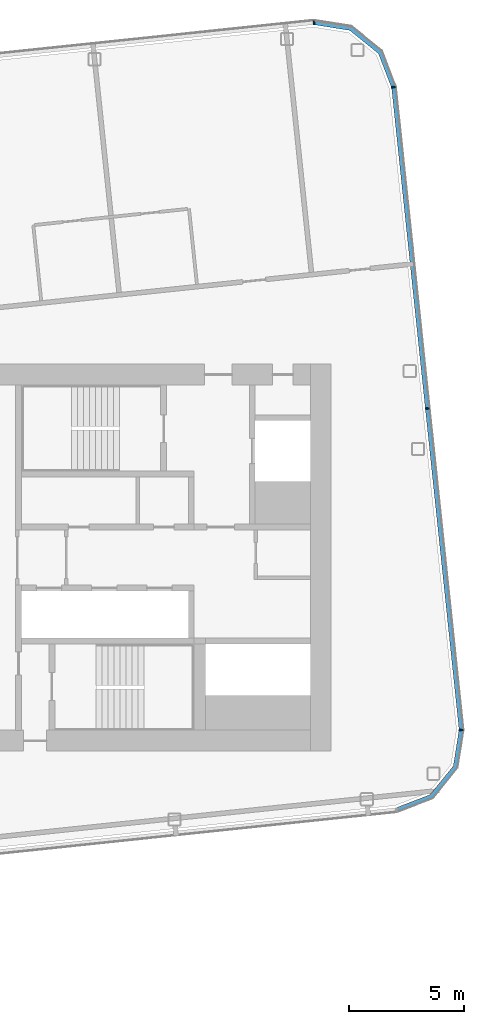
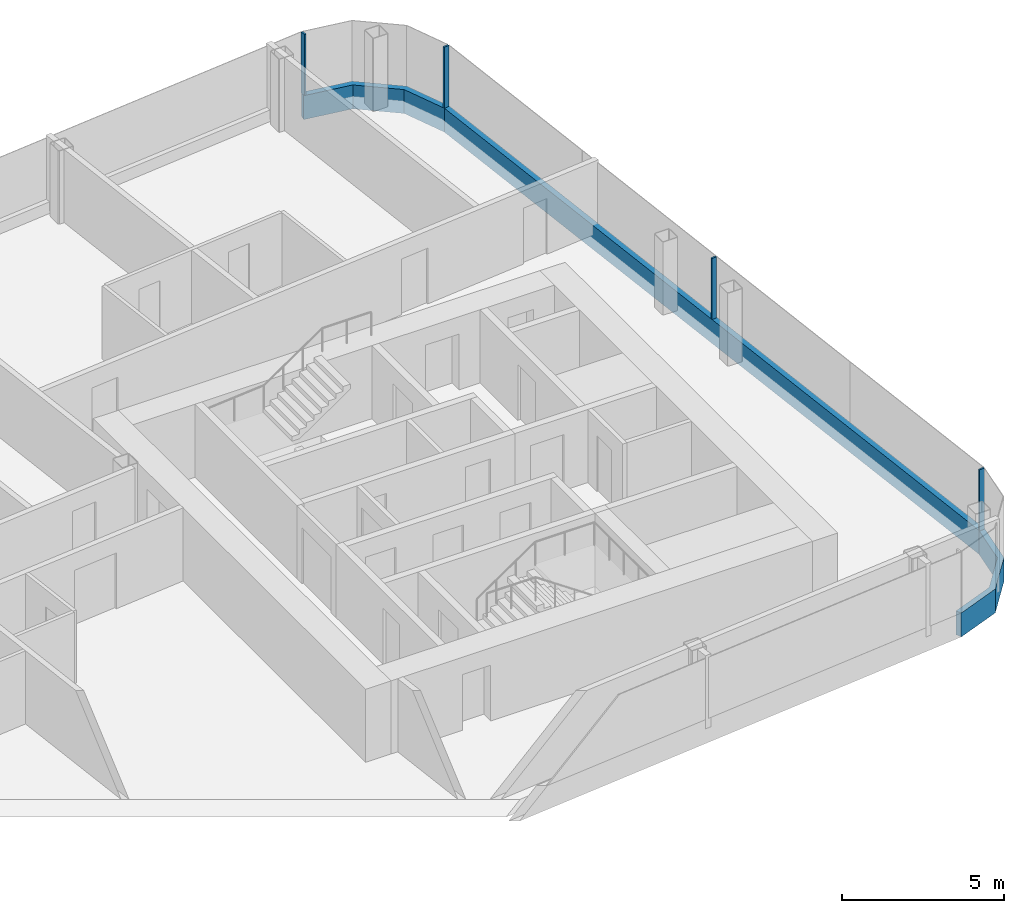
# One storey, part 12 of 27: 7 members, 4 elements without a shape of their own.
"""IFC4 building model written with IfcOpenShell, lengths in metres."""

from ifc_helpers import new_model, si_unit, direction, frame, origin, origin_2d, place, context, subcontext, project, spatial, polyline, rectangle, outline, extrude, material, layer, layer_set, material_profile, profile_set, type_object, element, aggregate, save


model = new_model("IFC4")

# Units and contexts
model_context = context("Model", 3, precision=1e-05, world=origin(), true_north=direction((0.0, 1.0)))
body_context = subcontext(model_context, "Body", "Model", "MODEL_VIEW")
ifc_project = project(units=[si_unit("LENGTHUNIT", "METRE"), si_unit("AREAUNIT", "SQUARE_METRE"), si_unit("VOLUMEUNIT", "CUBIC_METRE"), si_unit("PLANEANGLEUNIT", "RADIAN"), si_unit("MASSUNIT", "GRAM", prefix="KILO")], contexts=[model_context])

# Site, building, storey
site_placement = place(None, origin())
site = spatial("IfcSite", under=ifc_project, at=site_placement, CompositionType="ELEMENT")
building_placement = place(site_placement, origin())
building = spatial("IfcBuilding", under=site, at=building_placement, Name="Hakoniwa Tower and Hamabe Station Hall", CompositionType="ELEMENT")
storey_placement = place(building_placement, frame((0.0, 0.0, 239.0)))
storey = spatial("IfcBuildingStorey", under=building, at=storey_placement, Name="L67", CompositionType="ELEMENT", Elevation=239.0)

# Curtain wall, member
ifc_material_1 = material(Name="Dark low-e laminated glass", Category="glass")
ifc_layer = layer(ifc_material_1, 0.199951171875)
ifc_layer_set = layer_set([ifc_layer], Name="CW-1 UNITISED GUEST")
curtain_wall_type = type_object("IfcCurtainWallType", Name="CW-1 UNITISED GUEST", PredefinedType="NOTDEFINED", material=ifc_layer_set)
curtain_wall_1_placement = place(storey_placement, origin())
curtain_wall_1 = element("IfcCurtainWall", 1, at=curtain_wall_1_placement, inside=storey, type_object=curtain_wall_type, Name="CW-1 curtain wall", PredefinedType="NOTDEFINED")
ifc_material_2 = material(Name="Aluminium 6063-T5 black anodised", Category="aluminium")
ifc_material_profile_1 = material_profile(ifc_material_2, rectangle(XDim=0.199951171875, YDim=0.89990234375, at=origin_2d()), Name="CW SLAB-EDGE BAND 900X200")
ifc_profile_set_1 = profile_set([ifc_material_profile_1], Name="Aluminium 6063-T5 black anodised")
member_type_1 = type_object("IfcMemberType", Name="CW SLAB-EDGE BAND 900X200", PredefinedType="USERDEFINED", material=ifc_profile_set_1)
member_1_placement = place(storey_placement, frame((39.25927734375, -7.490478515625, -0.10009765625), z_axis=(-0.104529086463, 0.994521829868, 0.0), x_axis=(-0.994521829868, -0.104529086463, 0.0)))
member_1 = element("IfcMember", 2, at=member_1_placement, type_object=member_type_1, Name="CW-1 transom", ObjectType="TRANSOM", PredefinedType="USERDEFINED", context=body_context, shape_type="SweptSolid", body=[
    extrude(rectangle(XDim=0.199951171875, YDim=0.89990234375, at=origin_2d()), origin(), (0.0, 0.0, 1.0), 28.078857421875),
])

curtain_wall_2_placement = place(storey_placement, origin())
curtain_wall_2 = element("IfcCurtainWall", 3, at=curtain_wall_2_placement, inside=storey, type_object=curtain_wall_type, Name="CW-1 curtain wall", PredefinedType="NOTDEFINED")
member_2_placement = place(storey_placement, frame((0.0, 0.0, -0.550048828125)))
member_2 = element("IfcMember", 4, at=member_2_placement, type_object=member_type_1, Name="CW-1 transom", ObjectType="TRANSOM", PredefinedType="USERDEFINED", context=body_context, shape_type="SweptSolid", body=[
    extrude(outline(polyline([(36.423828125, 20.445068359375), (35.82421875, 22.0068359375), (34.492431640625, 23.085205078125), (32.84033203125, 23.346923828125), (32.80908203125, 23.1494140625), (34.408203125, 22.89599609375), (35.65673828125, 21.885009765625), (36.237060546875, 20.37353515625), (36.423828125, 20.445068359375)])), origin(), (0.0, 0.0, 1.0), 0.900146484375),
])
aggregate(curtain_wall_2, [member_2])

curtain_wall_3_placement = place(storey_placement, origin())
curtain_wall_3 = element("IfcCurtainWall", 5, at=curtain_wall_3_placement, inside=storey, type_object=curtain_wall_type, Name="CW-1 curtain wall", PredefinedType="NOTDEFINED")
member_3_placement = place(storey_placement, frame((0.0, 0.0, -0.550048828125)))
member_3 = element("IfcMember", 6, at=member_3_placement, type_object=member_type_1, Name="CW-1 transom", ObjectType="TRANSOM", PredefinedType="USERDEFINED", context=body_context, shape_type="SweptSolid", body=[
    extrude(outline(polyline([(36.45703125, -11.0634765625), (38.0185546875, -10.464111328125), (39.09716796875, -9.13232421875), (39.35888671875, -7.47998046875), (39.161376953125, -7.44873046875), (38.907958984375, -9.048095703125), (37.89697265625, -10.296630859375), (36.38525390625, -10.876708984375), (36.45703125, -11.0634765625)])), origin(), (0.0, 0.0, 1.0), 0.900146484375),
])
aggregate(curtain_wall_3, [member_3])

# Member
ifc_material_3 = material(Name="Aluminium 6063-T5 black anodised", Category="aluminium")
ifc_material_profile_2 = material_profile(ifc_material_3, rectangle(XDim=0.06005859375, YDim=0.179931640625, at=origin_2d()), Name="CW-1 MULLION 60X180")
ifc_profile_set_2 = profile_set([ifc_material_profile_2], Name="Aluminium 6063-T5 black anodised")
member_type_2 = type_object("IfcMemberType", Name="CW-1 MULLION 60X180", PredefinedType="MULLION", material=ifc_profile_set_2)
member_4_placement = place(storey_placement, frame((39.241455078125, -7.492431640625, 0.35009765625), z_axis=(0.0, 0.0, 1.0), x_axis=(-0.104528468631, 0.994521894805, 0.0)))
member_4 = element("IfcMember", 7, at=member_4_placement, type_object=member_type_2, Name="CW-1 mullion", PredefinedType="MULLION", context=body_context, shape_type="SweptSolid", body=[
    extrude(rectangle(XDim=0.06005859375, YDim=0.179931640625, at=origin_2d()), origin(), (0.0, 0.0, 1.0), 2.2998046875),
])

member_5_placement = place(storey_placement, frame((37.77392578125, 6.47021484375, 0.35009765625), z_axis=(0.0, 0.0, 1.0), x_axis=(-0.104528468631, 0.994521894805, 0.0)))
member_5 = element("IfcMember", 8, at=member_5_placement, type_object=member_type_2, Name="CW-1 mullion", PredefinedType="MULLION", context=body_context, shape_type="SweptSolid", body=[
    extrude(rectangle(XDim=0.06005859375, YDim=0.179931640625, at=origin_2d()), origin(), (0.0, 0.0, 1.0), 2.2998046875),
])

member_6_placement = place(storey_placement, frame((36.306396484375, 20.432861328125, 0.35009765625), z_axis=(0.0, 0.0, 1.0), x_axis=(-0.104528468631, 0.994521894805, 0.0)))
member_6 = element("IfcMember", 9, at=member_6_placement, type_object=member_type_2, Name="CW-1 mullion", PredefinedType="MULLION", context=body_context, shape_type="SweptSolid", body=[
    extrude(rectangle(XDim=0.06005859375, YDim=0.179931640625, at=origin_2d()), origin(), (0.0, 0.0, 1.0), 2.2998046875),
])

aggregate(curtain_wall_1, [member_4, member_5, member_6, member_1])

# Curtain wall, member
curtain_wall_4_placement = place(storey_placement, origin())
curtain_wall_4 = element("IfcCurtainWall", 10, at=curtain_wall_4_placement, inside=storey, type_object=curtain_wall_type, Name="CW-1 curtain wall", PredefinedType="NOTDEFINED")
member_7_placement = place(storey_placement, frame((32.8525390625, 23.2294921875, 0.35009765625), z_axis=(0.0, 0.0, 1.0), x_axis=(-0.994521895272, -0.104528464188, 0.0)))
member_7 = element("IfcMember", 11, at=member_7_placement, type_object=member_type_2, Name="CW-1 mullion", PredefinedType="MULLION", context=body_context, shape_type="SweptSolid", body=[
    extrude(rectangle(XDim=0.06005859375, YDim=0.179931640625, at=origin_2d()), origin(), (0.0, 0.0, 1.0), 2.2998046875),
])
aggregate(curtain_wall_4, [member_7])

save(model, "model.ifc")
